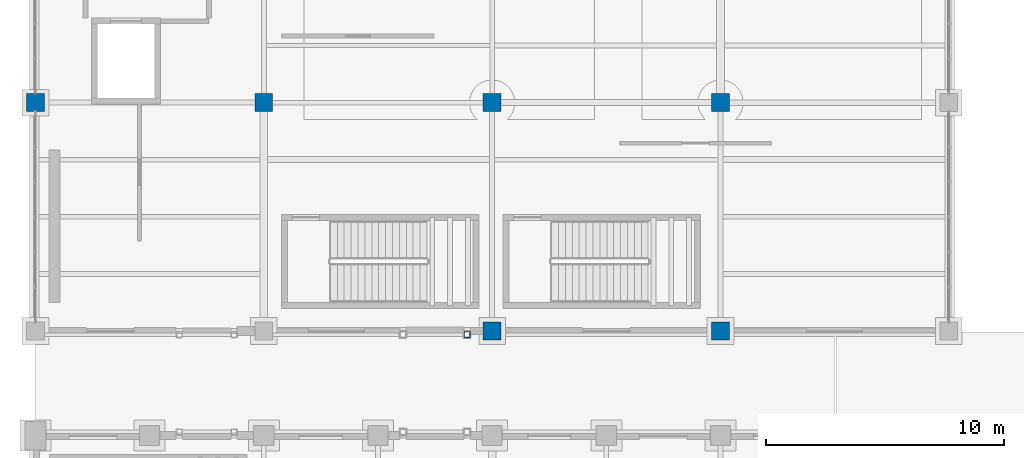
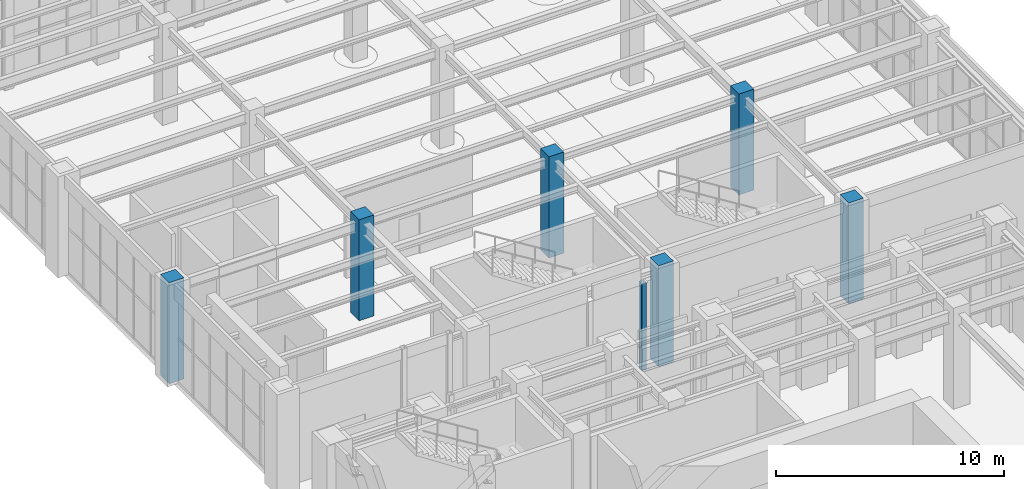
# One storey, part 13 of 164: 7 columns.
"""IFC4 building model written with IfcOpenShell, lengths in metres."""

from ifc_helpers import new_model, si_unit, direction, frame, origin, origin_2d, place, context, subcontext, project, spatial, rectangle, hollow_rectangle, extrude, material, material_profile, profile_set, type_object, element, save


model = new_model("IFC4")

# Units and contexts
model_context = context("Model", 3, precision=1e-05, world=origin(), true_north=direction((0.0, 1.0)))
body_context = subcontext(model_context, "Body", "Model", "MODEL_VIEW")
ifc_project = project(units=[si_unit("LENGTHUNIT", "METRE"), si_unit("AREAUNIT", "SQUARE_METRE"), si_unit("VOLUMEUNIT", "CUBIC_METRE"), si_unit("PLANEANGLEUNIT", "RADIAN"), si_unit("MASSUNIT", "GRAM", prefix="KILO")], contexts=[model_context])

# Site, building, storey
site_placement = place(None, origin())
site = spatial("IfcSite", under=ifc_project, at=site_placement, CompositionType="ELEMENT")
building_placement = place(site_placement, origin())
building = spatial("IfcBuilding", under=site, at=building_placement, Name="Mavantir Sound Aquarium", CompositionType="ELEMENT")
storey_placement = place(building_placement, origin())
storey = spatial("IfcBuildingStorey", under=building, at=storey_placement, Name="L00", CompositionType="ELEMENT", Elevation=0.0)

# Columns
ifc_material_1 = material(Name="Concrete C40/50", Category="concrete")
ifc_material_profile_1 = material_profile(ifc_material_1, rectangle(XDim=0.75, YDim=0.75, at=origin_2d()), Name="RC 750X750")
ifc_profile_set_1 = profile_set([ifc_material_profile_1], Name="Concrete C40/50")
column_type_1 = type_object("IfcColumnType", Name="COL-RC750-E", PredefinedType="COLUMN", material=ifc_profile_set_1)
column_1_placement = place(storey_placement, frame((0.0, 93.199951171875, 0.0), z_axis=(0.0, 0.0, 1.0), x_axis=(1.0, 0.0, 0.0)))
element("IfcColumn", 1, at=column_1_placement, inside=storey, type_object=column_type_1, Name="L00 column RC-C75 (V5)", PredefinedType="COLUMN", context=body_context, shape_type="SweptSolid", body=[
    extrude(rectangle(XDim=0.75, YDim=0.75, at=origin_2d()), origin(), (0.0, 0.0, 1.0), 5.39990234375),
])
ifc_material_profile_2 = material_profile(ifc_material_1, rectangle(XDim=0.75, YDim=0.75, at=origin_2d()), Name="RC 750X750")
ifc_profile_set_2 = profile_set([ifc_material_profile_2], Name="Concrete C40/50")
column_type_2 = type_object("IfcColumnType", Name="COL-RC750-I", PredefinedType="COLUMN", material=ifc_profile_set_2)
for number, where, z_axis, x_axis, name in (
    (2, (9.60009765625, 93.199951171875, 0.0), (0.0, 0.0, 1.0), (1.0, 0.0, 0.0), "L00 column RC-C75 (V5)"),
    (3, (19.199951171875, 83.60009765625, 0.0), (0.0, 0.0, 1.0), (1.0, 0.0, 0.0), "L00 column RC-C75 (V5)"),
    (4, (19.199951171875, 93.199951171875, 0.0), (0.0, 0.0, 1.0), (1.0, 0.0, 0.0), "L00 column RC-C75 (V5)"),
    (5, (28.800048828125, 83.60009765625, 0.0), (0.0, 0.0, 1.0), (1.0, 0.0, 0.0), "L00 column RC-C75 (V5)"),
    (6, (28.800048828125, 93.199951171875, 0.0), (0.0, 0.0, 1.0), (1.0, 0.0, 0.0), "L00 column RC-C75 (V5)"),
):
    element("IfcColumn", number, at=place(storey_placement, frame(where, z_axis=z_axis, x_axis=x_axis)), inside=storey, type_object=column_type_2, Name=name, PredefinedType="COLUMN", context=body_context, shape_type="SweptSolid", body=[
        extrude(rectangle(XDim=0.75, YDim=0.75, at=origin_2d()), origin(), (0.0, 0.0, 1.0), 5.39990234375),
    ])
ifc_material_2 = material(Name="Hollow Structural Steel ASTM A500 GrC", Category="steel")
ifc_material_profile_3 = material_profile(ifc_material_2, hollow_rectangle(XDim=0.25, YDim=0.25, WallThickness=0.012451171875, InnerFilletRadius=0.012451171875, OuterFilletRadius=0.02490234375, at=origin_2d()), Name="SHS 250X250X12.5")
ifc_profile_set_3 = profile_set([ifc_material_profile_3], Name="Hollow Structural Steel ASTM A500 GrC")
column_type_3 = type_object("IfcColumnType", Name="COL-SHS250-E", PredefinedType="COLUMN", material=ifc_profile_set_3)
column_2_placement = place(storey_placement, frame((18.14990234375, 83.449951171875, 0.0), z_axis=(0.0, 0.0, 1.0), x_axis=(1.0, 0.0, 0.0)))
element("IfcColumn", 7, at=column_2_placement, inside=storey, type_object=column_type_3, Name="Bridge support column 3.4 (L00)", PredefinedType="COLUMN", context=body_context, shape_type="SweptSolid", body=[
    extrude(hollow_rectangle(XDim=0.25, YDim=0.25, WallThickness=0.012451171875, InnerFilletRadius=0.012451171875, OuterFilletRadius=0.02490234375, at=origin_2d()), origin(), (0.0, 0.0, 1.0), 4.65087890625),
])

save(model, "model.ifc")
